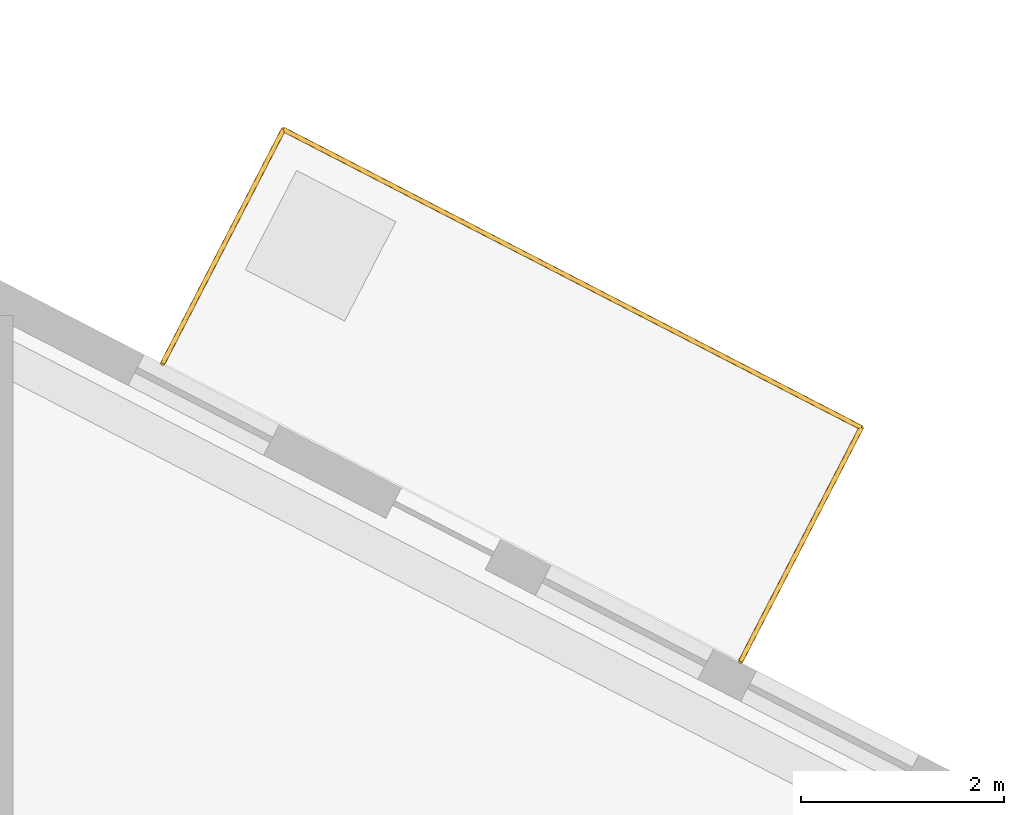
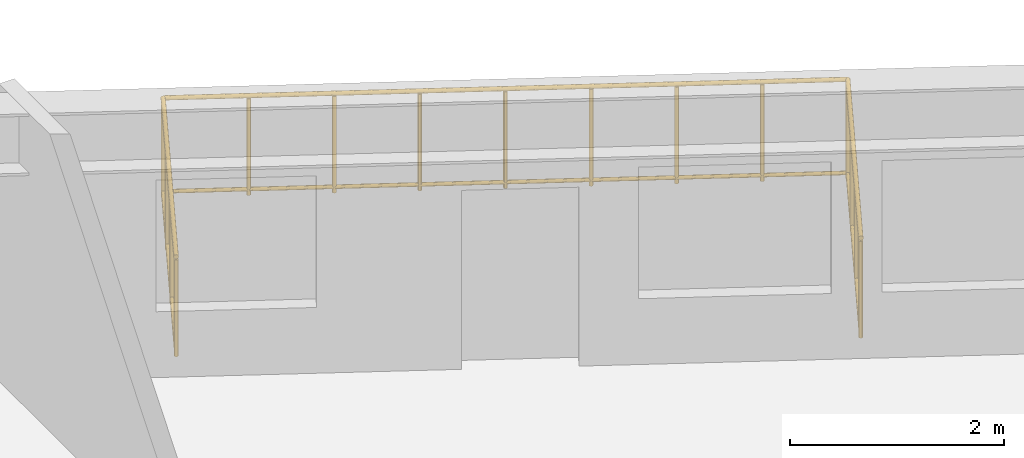
# One storey, part 7 of 7: 1 railing.
"""IFC4 building model written with IfcOpenShell, lengths in metres."""

from ifc_helpers import new_model, si_unit, direction, frame, origin, origin_2d, place, context, subcontext, project, spatial, circle, extrude, material, type_object, element, save


model = new_model("IFC4")

# Units and contexts
model_context = context("Model", 3, precision=1e-05, world=origin(), true_north=direction((0.0, 1.0)))
body_context = subcontext(model_context, "Body", "Model", "MODEL_VIEW")
ifc_project = project(units=[si_unit("LENGTHUNIT", "METRE"), si_unit("AREAUNIT", "SQUARE_METRE"), si_unit("VOLUMEUNIT", "CUBIC_METRE"), si_unit("PLANEANGLEUNIT", "RADIAN"), si_unit("MASSUNIT", "GRAM", prefix="KILO"), si_unit("THERMODYNAMICTEMPERATUREUNIT", "KELVIN"), si_unit("POWERUNIT", "WATT")], contexts=[model_context])

# Site, building, storey
site_placement = place(None, origin())
site = spatial("IfcSite", under=ifc_project, at=site_placement, CompositionType="ELEMENT")
building_placement = place(site_placement, origin())
building = spatial("IfcBuilding", under=site, at=building_placement, Name="Skarre Station Tower", CompositionType="ELEMENT")
storey_placement = place(building_placement, frame((0.0, 0.0, 37.949951171875)))
storey = spatial("IfcBuildingStorey", under=building, at=storey_placement, Name="L09", CompositionType="ELEMENT", Elevation=37.949951171875)

# Railing
ifc_material = material(Name="Stainless Steel Grade 316L & Laminated Safety Glass", Category="steel")
railing_type = type_object("IfcRailingType", Name="Laminated Glass & Stainless Terrace Guardrail 1150", PredefinedType="BALUSTRADE", material=ifc_material)
railing_placement = place(storey_placement, frame((51.679931640625, 40.240966796875, 0.0)))
element("IfcRailing", 1, at=railing_placement, inside=storey, type_object=railing_type, Name="L09 TB-L09-F0 Tree-Balcony Guardrail", PredefinedType="BALUSTRADE", context=body_context, shape_type="SweptSolid", body=[
    extrude(circle(Radius=0.02392578125, at=origin_2d()), frame((0.0, 0.0, 1.1259765625), z_axis=(0.458599707136, 0.888642959019, 0.0), x_axis=(-0.888642959019, 0.458599707136, 0.0)), (0.0, 0.0, 1.0), 2.590576171875),
    extrude(circle(Radius=0.02099609375, at=origin_2d()), frame((0.0, 0.0, 0.06005859375), z_axis=(0.458599707136, 0.888642959019, 0.0), x_axis=(-0.888642959019, 0.458599707136, 0.0)), (0.0, 0.0, 1.0), 2.590576171875),
    extrude(circle(Radius=0.02392578125, at=origin_2d()), frame((1.18798828125, 2.302001953125, 1.1259765625), z_axis=(-0.888663779873, 0.458559359672, 0.0), x_axis=(-0.458559359672, -0.888663779873, 0.0)), (0.0, 0.0, 1.0), 6.400634765625),
    extrude(circle(Radius=0.02099609375, at=origin_2d()), frame((1.18798828125, 2.302001953125, 0.06005859375), z_axis=(-0.888663779873, 0.458559359672, 0.0), x_axis=(-0.458559359672, -0.888663779873, 0.0)), (0.0, 0.0, 1.0), 6.400634765625),
    extrude(circle(Radius=0.02392578125, at=origin_2d()), frame((-4.5, 5.237060546875, 1.1259765625), z_axis=(-0.458599707136, -0.888642959019, 0.0), x_axis=(0.888642959019, -0.458599707136, 0.0)), (0.0, 0.0, 1.0), 2.590576171875),
    extrude(circle(Radius=0.02099609375, at=origin_2d()), frame((-4.5, 5.237060546875, 0.06005859375), z_axis=(-0.458599707136, -0.888642959019, 0.0), x_axis=(0.888642959019, -0.458599707136, 0.0)), (0.0, 0.0, 1.0), 2.590576171875),
    extrude(circle(Radius=0.02099609375, at=origin_2d()), origin(), (0.0, 0.0, 1.0), 1.101806640625),
    extrude(circle(Radius=0.02099609375, at=origin_2d()), frame((0.39599609375, 0.767333984375, 0.0)), (0.0, 0.0, 1.0), 1.101806640625),
    extrude(circle(Radius=0.02099609375, at=origin_2d()), frame((0.7919921875, 1.53466796875, 0.0)), (0.0, 0.0, 1.0), 1.101806640625),
    extrude(circle(Radius=0.02099609375, at=origin_2d()), frame((1.18798828125, 2.302001953125, 0.0)), (0.0, 0.0, 1.0), 1.101806640625),
    extrude(circle(Radius=0.02099609375, at=origin_2d()), frame((0.47705078125, 2.6689453125, 0.0)), (0.0, 0.0, 1.0), 1.101806640625),
    extrude(circle(Radius=0.02099609375, at=origin_2d()), frame((-0.23388671875, 3.03564453125, 0.0)), (0.0, 0.0, 1.0), 1.101806640625),
    extrude(circle(Radius=0.02099609375, at=origin_2d()), frame((-0.945068359375, 3.402587890625, 0.0)), (0.0, 0.0, 1.0), 1.101806640625),
    extrude(circle(Radius=0.02099609375, at=origin_2d()), frame((-1.656005859375, 3.76953125, 0.0)), (0.0, 0.0, 1.0), 1.101806640625),
    extrude(circle(Radius=0.02099609375, at=origin_2d()), frame((-2.366943359375, 4.136474609375, 0.0)), (0.0, 0.0, 1.0), 1.101806640625),
    extrude(circle(Radius=0.02099609375, at=origin_2d()), frame((-3.078125, 4.50341796875, 0.0)), (0.0, 0.0, 1.0), 1.101806640625),
    extrude(circle(Radius=0.02099609375, at=origin_2d()), frame((-3.7890625, 4.8701171875, 0.0)), (0.0, 0.0, 1.0), 1.101806640625),
    extrude(circle(Radius=0.02099609375, at=origin_2d()), frame((-4.5, 5.237060546875, 0.0)), (0.0, 0.0, 1.0), 1.101806640625),
    extrude(circle(Radius=0.02099609375, at=origin_2d()), frame((-4.89599609375, 4.4697265625, 0.0)), (0.0, 0.0, 1.0), 1.101806640625),
    extrude(circle(Radius=0.02099609375, at=origin_2d()), frame((-5.2919921875, 3.702392578125, 0.0)), (0.0, 0.0, 1.0), 1.101806640625),
    extrude(circle(Radius=0.02099609375, at=origin_2d()), frame((-5.68798828125, 2.93505859375, 0.0)), (0.0, 0.0, 1.0), 1.101806640625),
])

save(model, "model.ifc")
